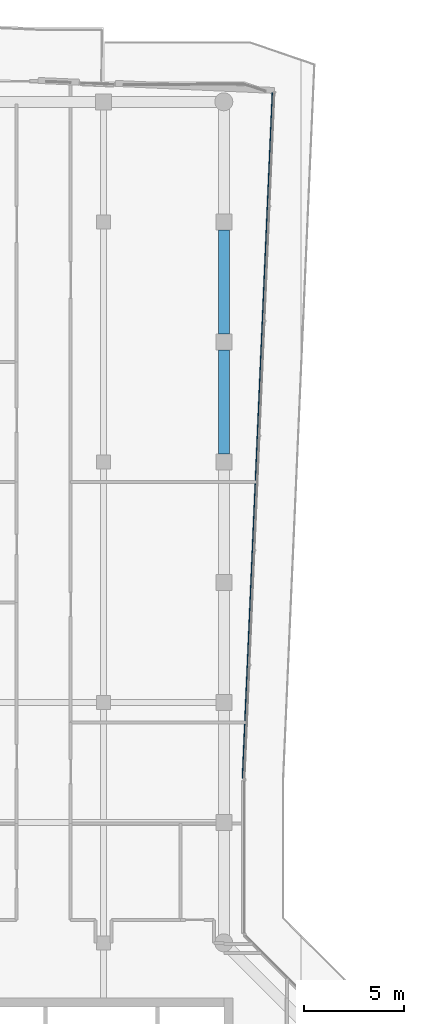
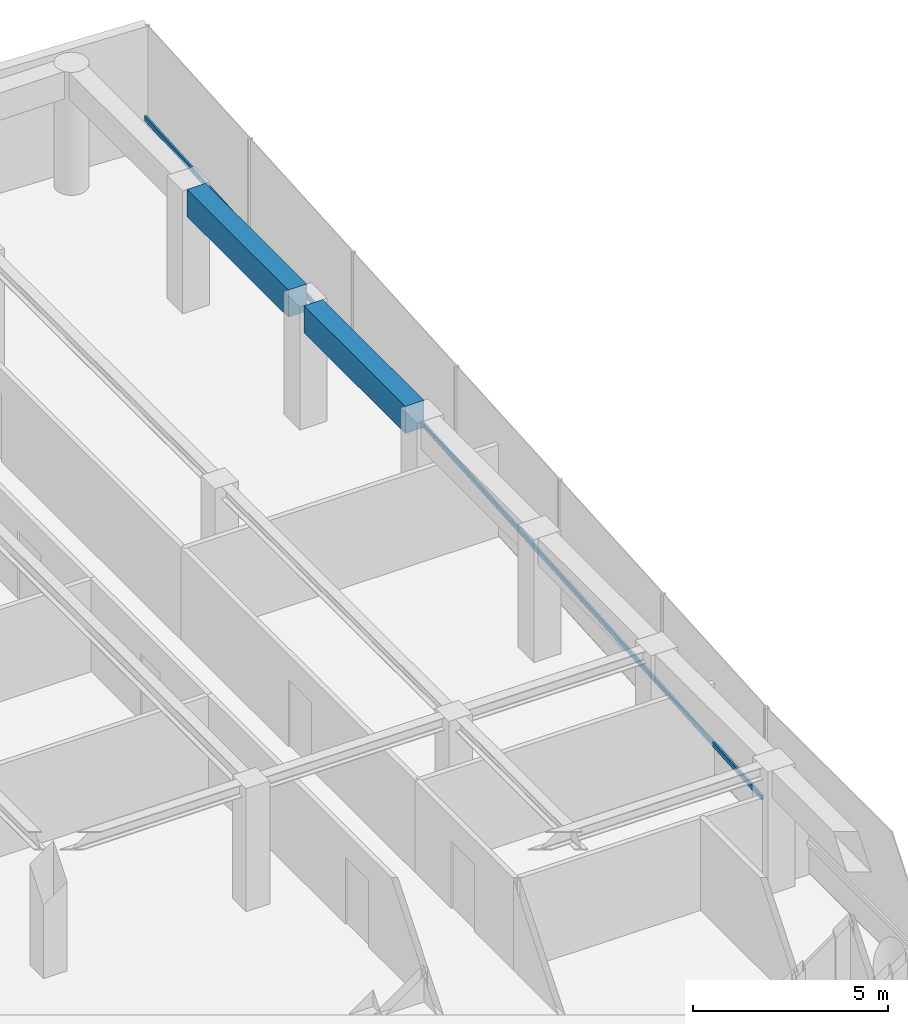
# One storey, part 12 of 20: 2 beams, 1 member, 1 element without a shape of its own.
"""IFC4 building model written with IfcOpenShell, lengths in metres."""

from ifc_helpers import new_model, si_unit, direction, frame, origin, origin_2d, place, context, subcontext, project, spatial, rectangle, extrude, material, layer, layer_set, material_profile, profile_set, type_object, element, aggregate, save


model = new_model("IFC4")

# Units and contexts
model_context = context("Model", 3, precision=1e-05, world=origin(), true_north=direction((0.0, 1.0)))
body_context = subcontext(model_context, "Body", "Model", "MODEL_VIEW")
ifc_project = project(units=[si_unit("LENGTHUNIT", "METRE"), si_unit("AREAUNIT", "SQUARE_METRE"), si_unit("VOLUMEUNIT", "CUBIC_METRE"), si_unit("PLANEANGLEUNIT", "RADIAN"), si_unit("MASSUNIT", "GRAM", prefix="KILO")], contexts=[model_context])

# Site, building, storey
site_placement = place(None, origin())
site = spatial("IfcSite", under=ifc_project, at=site_placement, CompositionType="ELEMENT")
building_placement = place(site_placement, origin())
building = spatial("IfcBuilding", under=site, at=building_placement, Name="Welwitschia Terrace Campus", CompositionType="ELEMENT")
storey_placement = place(building_placement, frame((0.0, 0.0, 239.0)))
storey = spatial("IfcBuildingStorey", under=building, at=storey_placement, Name="L53", CompositionType="ELEMENT", Elevation=239.0)

# Beams
ifc_material_1 = material(Name="Concrete C50/60", Category="concrete")
ifc_material_profile_1 = material_profile(ifc_material_1, rectangle(XDim=0.550048828125, YDim=0.85009765625, at=origin_2d()))
ifc_profile_set_1 = profile_set([ifc_material_profile_1], Name="Concrete C50/60")
beam_type = type_object("IfcBeamType", Name="Ring spandrel 550x850", PredefinedType="SPANDREL", material=ifc_profile_set_1)
for number, where, z_axis, x_axis, name in (
    (1, (24.0, 52.400390625, 3.425048828125), (0.0, 1.0, 0.0), (-1.0, 0.0, 0.0), "Spandrel SP3"),
    (2, (24.0, 58.400390625, 3.425048828125), (0.0, 1.0, 0.0), (-1.0, 0.0, 0.0), "Spandrel SP3"),
):
    element("IfcBeam", number, at=place(storey_placement, frame(where, z_axis=z_axis, x_axis=x_axis)), inside=storey, type_object=beam_type, Name=name, PredefinedType="SPANDREL", context=body_context, shape_type="SweptSolid", body=[
        extrude(rectangle(XDim=0.550048828125, YDim=0.85009765625, at=origin_2d()), origin(), (0.0, 0.0, 1.0), 5.19921875),
    ])

# Curtain wall, member
ifc_material_2 = material(Name="Bronze anodised aluminium", Category="aluminium")
ifc_layer = layer(ifc_material_2, 0.1201171875)
ifc_layer_set = layer_set([ifc_layer], Name="Bronze anodised aluminium")
curtain_wall_type = type_object("IfcCurtainWallType", Name="Curtain wall CW2 tower 6000", PredefinedType="NOTDEFINED", material=ifc_layer_set)
curtain_wall_placement = place(storey_placement, origin())
curtain_wall = element("IfcCurtainWall", 3, at=curtain_wall_placement, inside=storey, type_object=curtain_wall_type, Name="CW L53.7.0", PredefinedType="NOTDEFINED")
ifc_material_3 = material(Name="Bronze anodised aluminium", Category="aluminium")
ifc_material_profile_2 = material_profile(ifc_material_3, rectangle(XDim=0.06005859375, YDim=0.14990234375, at=origin_2d()))
ifc_profile_set_2 = profile_set([ifc_material_profile_2], Name="Bronze anodised aluminium")
member_type = type_object("IfcMemberType", Name="Transom 60x150", PredefinedType="USERDEFINED", material=ifc_profile_set_2)
member_placement = place(storey_placement, frame((24.942626953125, 36.210693359375, 1.0), z_axis=(0.043623627798, 0.999048036432, 0.0), x_axis=(-0.999048036432, 0.043623627798, 0.0)))
member = element("IfcMember", 4, at=member_placement, type_object=member_type, Name="Transom L53.7.0", ObjectType="TRANSOM", PredefinedType="USERDEFINED", context=body_context, shape_type="SweptSolid", body=[
    extrude(rectangle(XDim=0.06005859375, YDim=0.14990234375, at=origin_2d()), origin(), (0.0, 0.0, 1.0), 34.273193359375),
])
aggregate(curtain_wall, [member])

save(model, "model.ifc")
